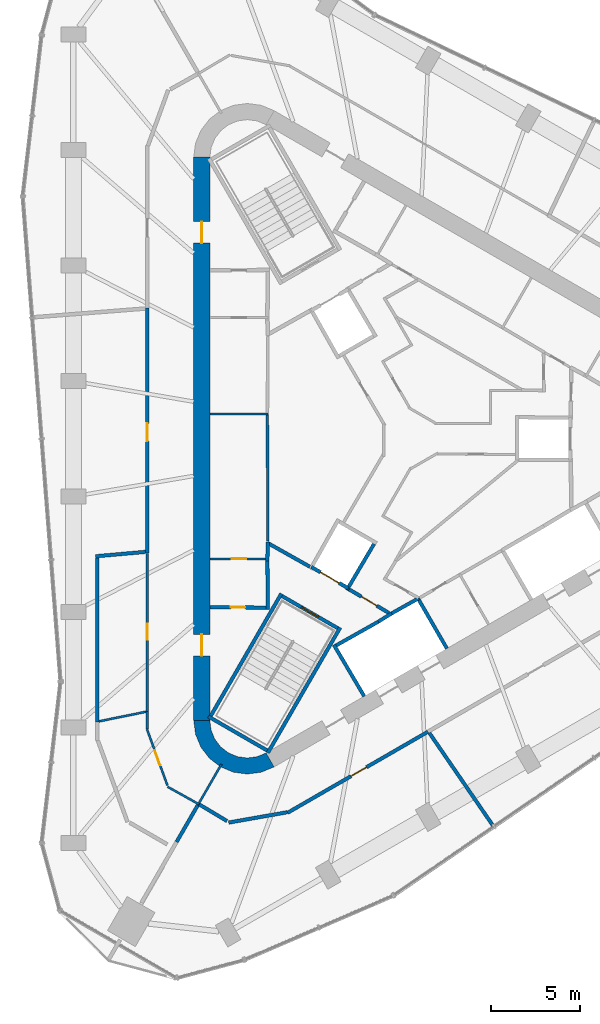
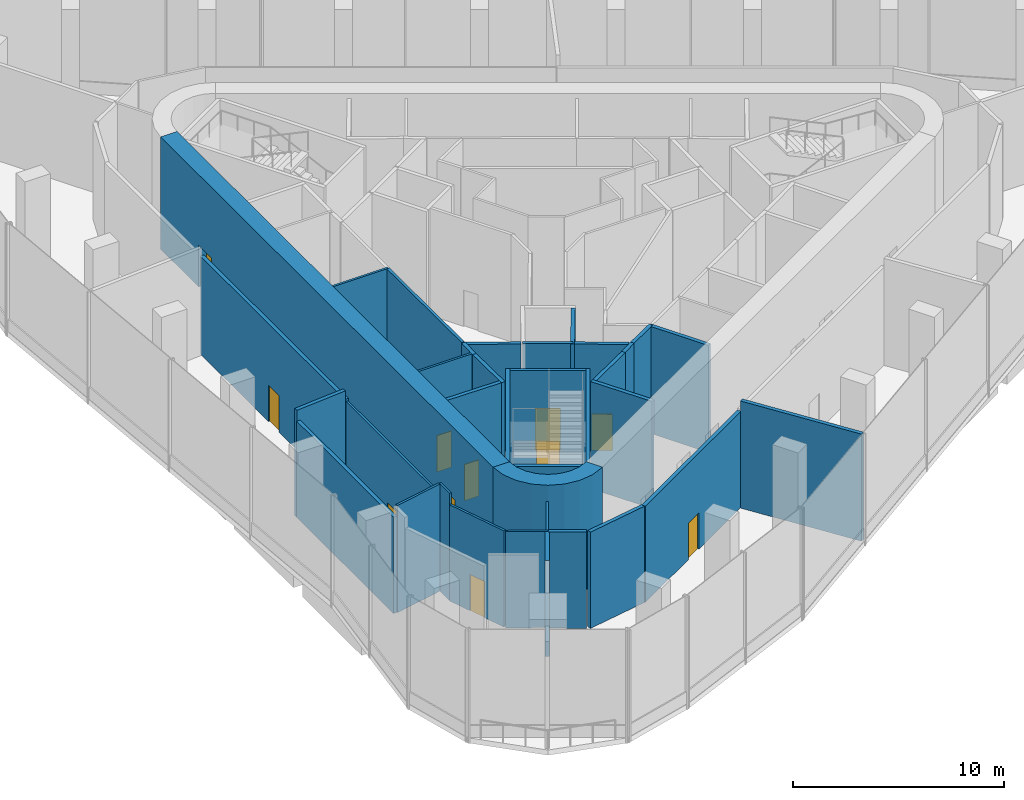
# One storey, part 7 of 13: 35 walls, 11 doors, 11 openings.
"""IFC4 building model written with IfcOpenShell, lengths in metres."""

from ifc_helpers import new_model, si_unit, direction, frame, frame_2d, origin, place, context, subcontext, project, spatial, polyline, rectangle, outline, extrude, material, layer, layer_set, type_object, element, fill, save


model = new_model("IFC4")

# Units and contexts
model_context = context("Model", 3, precision=1e-05, world=origin(), true_north=direction((0.0, 1.0)))
body_context = subcontext(model_context, "Body", "Model", "MODEL_VIEW")
ifc_project = project(units=[si_unit("LENGTHUNIT", "METRE"), si_unit("AREAUNIT", "SQUARE_METRE"), si_unit("VOLUMEUNIT", "CUBIC_METRE"), si_unit("PLANEANGLEUNIT", "RADIAN"), si_unit("MASSUNIT", "GRAM", prefix="KILO")], contexts=[model_context])

# Site, building, storey
site_placement = place(None, origin())
site = spatial("IfcSite", under=ifc_project, at=site_placement, CompositionType="ELEMENT")
building_placement = place(site_placement, origin())
building = spatial("IfcBuilding", under=site, at=building_placement, Name="Tanit Gate Tower", CompositionType="ELEMENT")
storey_placement = place(building_placement, frame((0.0, 0.0, 398.300048828125)))
storey = spatial("IfcBuildingStorey", under=building, at=storey_placement, Name="L91", CompositionType="ELEMENT", Elevation=398.300048828125)

# Wall, openings, doors
ifc_material_1 = material(Name="Concrete C40/50", Category="concrete")
ifc_layer_1 = layer(ifc_material_1, 0.89990234375)
ifc_layer_set_1 = layer_set([ifc_layer_1], Name="CORE WALL 900 C40/50")
wall_type_1 = type_object("IfcWallType", Name="CORE WALL 900 C40/50", PredefinedType="SHEAR", material=ifc_layer_set_1)
wall_1_placement = place(storey_placement, frame((-11.64990234375, 15.76171875, 0.0), z_axis=(0.0, 0.0, 1.0), x_axis=(0.0, -1.0, 0.0)))
wall_1 = element("IfcWall", 1, at=wall_1_placement, inside=storey, type_object=wall_type_1, Name="CORE WALL", PredefinedType="SHEAR", context=body_context, shape_type="SweptSolid", body=[
    extrude(rectangle(XDim=31.5234375, YDim=0.89990234375, at=frame_2d((15.76171875, 0.0))), origin(), (0.0, 0.0, 1.0), 6.5),
])
opening_1_placement = place(wall_1_placement, frame((3.61181640625, 0.0, 0.0)))
opening_1 = element("IfcOpeningElement", 2, at=opening_1_placement, cuts=wall_1, Name="Opening F12-91-FL2", PredefinedType="OPENING", context=body_context, shape_type="SweptSolid", body=[
    extrude(rectangle(XDim=1.199951171875, YDim=2.39990234375, at=frame_2d((0.60009765625, 1.199951171875))), frame((0.0, 0.4599609375, 0.0), z_axis=(0.0, -1.0, 0.0), x_axis=(1.0, 0.0, 0.0)), (0.0, 0.0, 1.0), 0.919921875),
])
opening_2_placement = place(wall_1_placement, frame((26.711669921875, 0.0, 0.0)))
opening_2 = element("IfcOpeningElement", 3, at=opening_2_placement, cuts=wall_1, Name="Opening F12-91-S3", PredefinedType="OPENING", context=body_context, shape_type="SweptSolid", body=[
    extrude(rectangle(XDim=1.199951171875, YDim=2.39990234375, at=frame_2d((0.60009765625, 1.199951171875))), frame((0.0, 0.4599609375, 0.0), z_axis=(0.0, -1.0, 0.0), x_axis=(1.0, 0.0, 0.0)), (0.0, 0.0, 1.0), 0.919921875),
])
ifc_material_2 = material(Name="Fire-rated steel door leaf", Category="steel")
door_type_1 = type_object("IfcDoorType", Name="INT-DOOR-FIRE-LOBBY-1200", OperationType="NOTDEFINED", PredefinedType="USERDEFINED", material=ifc_material_2)
door_1_placement = place(opening_1_placement, origin())
door_1 = element("IfcDoor", 4, at=door_1_placement, inside=storey, type_object=door_type_1, Name="Door F12-91-FL2", ObjectType="FIRE DOOR", OperationType="SINGLE_SWING_LEFT", OverallHeight=2.39990234375, OverallWidth=1.199951171875, PredefinedType="USERDEFINED", context=body_context, shape_type="SweptSolid", body=[
    extrude(rectangle(XDim=1.199951171875, YDim=2.39990234375, at=frame_2d((0.60009765625, 1.199951171875))), frame((0.0, 0.02490234375, 0.0), z_axis=(0.0, -1.0, 0.0), x_axis=(1.0, 0.0, 0.0)), (0.0, 0.0, 1.0), 0.050048828125),
])
fill(opening_1, door_1)
door_2_placement = place(opening_2_placement, origin())
door_2 = element("IfcDoor", 5, at=door_2_placement, inside=storey, type_object=door_type_1, Name="Door F12-91-S3", ObjectType="FIRE DOOR", OperationType="SINGLE_SWING_RIGHT", OverallHeight=2.39990234375, OverallWidth=1.199951171875, PredefinedType="USERDEFINED", context=body_context, shape_type="SweptSolid", body=[
    extrude(rectangle(XDim=1.199951171875, YDim=2.39990234375, at=frame_2d((0.60009765625, 1.199951171875))), frame((0.0, 0.02490234375, 0.0), z_axis=(0.0, -1.0, 0.0), x_axis=(1.0, 0.0, 0.0)), (0.0, 0.0, 1.0), 0.050048828125),
])
fill(opening_2, door_2)

# Walls
wall_2_placement = place(storey_placement, origin())
element("IfcWall", 6, at=wall_2_placement, inside=storey, type_object=wall_type_1, Name="CORE WALL CORNER", PredefinedType="SHEAR", context=body_context, shape_type="SweptSolid", body=[
    extrude(outline(polyline([(-12.10009765625, -15.76171875), (-11.997802734375, -16.5380859375), (-11.697998046875, -17.26171875), (-11.22119140625, -17.883056640625), (-10.60009765625, -18.359619140625), (-9.87646484375, -18.659423828125), (-9.10009765625, -18.76171875), (-8.323486328125, -18.659423828125), (-7.60009765625, -18.359619140625), (-8.050048828125, -17.580322265625), (-8.556396484375, -17.7900390625), (-9.10009765625, -17.86181640625), (-9.6435546875, -17.7900390625), (-10.14990234375, -17.580322265625), (-10.5849609375, -17.24658203125), (-10.918701171875, -16.811767578125), (-11.12841796875, -16.30517578125), (-11.199951171875, -15.76171875), (-12.10009765625, -15.76171875)])), origin(), (0.0, 0.0, 1.0), 6.5),
])
ifc_material_3 = material(Name="Fire-rated gypsum board partition")
ifc_layer_2 = layer(ifc_material_3, 0.199951171875)
ifc_layer_set_2 = layer_set([ifc_layer_2], Name="INT-WALL-COMPARTMENT")
wall_type_2 = type_object("IfcWallType", Name="INT-WALL-COMPARTMENT", PredefinedType="PARTITIONING", material=ifc_layer_set_2)
wall_3_placement = place(storey_placement, frame((-7.983154296875, -6.849853515625, 0.0), z_axis=(0.0, 0.0, 1.0), x_axis=(0.030803413295, 0.999525462272, 0.0)))
element("IfcWall", 7, at=wall_3_placement, inside=storey, type_object=wall_type_2, Name="Wall Compartment W045", PredefinedType="PARTITIONING", context=body_context, shape_type="SweptSolid", body=[
    extrude(rectangle(XDim=1.077880859375, YDim=0.199951171875, at=frame_2d((0.5390625, 0.0))), origin(), (0.0, 0.0, 1.0), 6.199951171875),
])
wall_4_placement = place(storey_placement, frame((-7.948974609375, -9.550048828125, 0.0), z_axis=(0.0, 0.0, 1.0), x_axis=(-0.011121475088, 0.999938154483, 0.0)))
element("IfcWall", 8, at=wall_4_placement, inside=storey, type_object=wall_type_2, Name="Wall Compartment W047", PredefinedType="PARTITIONING", context=body_context, shape_type="SweptSolid", body=[
    extrude(rectangle(XDim=2.7001953125, YDim=0.199951171875, at=frame_2d((1.35009765625, 0.0))), origin(), (0.0, 0.0, 1.0), 6.199951171875),
])

# Wall, opening, door
wall_5_placement = place(storey_placement, frame((-11.199951171875, -9.419921875, 0.0), z_axis=(0.0, 0.0, 1.0), x_axis=(0.999957467379, -0.009222983926, 0.0)))
wall_5 = element("IfcWall", 9, at=wall_5_placement, inside=storey, type_object=wall_type_2, Name="Wall Compartment W048", PredefinedType="PARTITIONING", context=body_context, shape_type="SweptSolid", body=[
    extrude(rectangle(XDim=3.150146484375, YDim=0.199951171875, at=frame_2d((1.5751953125, 0.0))), origin(), (0.0, 0.0, 1.0), 6.199951171875),
])
opening_3_placement = place(wall_5_placement, frame((1.175048828125, 0.0, 0.0)))
opening_3 = element("IfcOpeningElement", 10, at=opening_3_placement, cuts=wall_5, Name="Opening R08-91-18", PredefinedType="OPENING", context=body_context, shape_type="SweptSolid", body=[
    extrude(rectangle(XDim=0.800048828125, YDim=2.10009765625, at=frame_2d((0.39990234375, 1.050048828125))), frame((0.0, 0.10986328125, 0.0), z_axis=(0.0, -1.0, 0.0), x_axis=(1.0, 0.0, 0.0)), (0.0, 0.0, 1.0), 0.219970703125),
])
ifc_material_4 = material(Name="Timber door leaf", Category="wood")
door_type_2 = type_object("IfcDoorType", Name="INT-DOOR-RISER-800", OperationType="NOTDEFINED", PredefinedType="USERDEFINED", material=ifc_material_4)
door_3_placement = place(opening_3_placement, origin())
door_3 = element("IfcDoor", 11, at=door_3_placement, inside=storey, type_object=door_type_2, Name="Door R08-91-18", ObjectType="FIRE DOOR", OperationType="SINGLE_SWING_RIGHT", OverallHeight=2.10009765625, OverallWidth=0.800048828125, PredefinedType="USERDEFINED", context=body_context, shape_type="SweptSolid", body=[
    extrude(rectangle(XDim=0.800048828125, YDim=2.10009765625, at=frame_2d((0.39990234375, 1.050048828125))), frame((0.0, 0.02490234375, 0.0), z_axis=(0.0, -1.0, 0.0), x_axis=(1.0, 0.0, 0.0)), (0.0, 0.0, 1.0), 0.050048828125),
])
fill(opening_3, door_3)

# Wall
wall_6_placement = place(storey_placement, frame((-7.9755859375, -5.822509765625, 0.0), z_axis=(0.0, 0.0, 1.0), x_axis=(0.871329070694, -0.490699144653, 0.0)))
element("IfcWall", 12, at=wall_6_placement, inside=storey, type_object=wall_type_2, Name="Wall Compartment W071", PredefinedType="PARTITIONING", context=body_context, shape_type="SweptSolid", body=[
    extrude(rectangle(XDim=2.72607421875, YDim=0.199951171875, at=frame_2d((1.363037109375, 0.0))), origin(), (0.0, 0.0, 1.0), 6.199951171875),
])

# Wall, opening, door
wall_7_placement = place(storey_placement, frame((-3.400634765625, -8.43017578125, 0.0), z_axis=(0.0, 0.0, 1.0), x_axis=(0.860598681535, -0.509283721849, 0.0)))
wall_7 = element("IfcWall", 13, at=wall_7_placement, inside=storey, type_object=wall_type_2, Name="Wall Compartment W072", PredefinedType="PARTITIONING", context=body_context, shape_type="SweptSolid", body=[
    extrude(rectangle(XDim=2.5810546875, YDim=0.199951171875, at=frame_2d((1.29052734375, 0.0))), origin(), (0.0, 0.0, 1.0), 6.199951171875),
])
opening_4_placement = place(wall_7_placement, frame((0.79052734375, 0.0, 0.0)))
opening_4 = element("IfcOpeningElement", 14, at=opening_4_placement, cuts=wall_7, Name="Opening F10-91-08", PredefinedType="OPENING", context=body_context, shape_type="SweptSolid", body=[
    extrude(rectangle(XDim=1.0, YDim=2.10009765625, at=frame_2d((0.5, 1.050048828125))), frame((0.0, 0.10986328125, 0.0), z_axis=(0.0, -1.0, 0.0), x_axis=(1.0, 0.0, 0.0)), (0.0, 0.0, 1.0), 0.219970703125),
])
ifc_material_5 = material(Name="Fire-rated steel door leaf", Category="steel")
door_type_3 = type_object("IfcDoorType", Name="INT-DOOR-FIRE-1000", OperationType="NOTDEFINED", PredefinedType="USERDEFINED", material=ifc_material_5)
door_4_placement = place(opening_4_placement, origin())
door_4 = element("IfcDoor", 15, at=door_4_placement, inside=storey, type_object=door_type_3, Name="Door F10-91-08", ObjectType="FIRE DOOR", OperationType="SINGLE_SWING_RIGHT", OverallHeight=2.10009765625, OverallWidth=1.0, PredefinedType="USERDEFINED", context=body_context, shape_type="SweptSolid", body=[
    extrude(rectangle(XDim=1.0, YDim=2.10009765625, at=frame_2d((0.5, 1.050048828125))), frame((0.0, 0.02490234375, 0.0), z_axis=(0.0, -1.0, 0.0), x_axis=(1.0, 0.0, 0.0)), (0.0, 0.0, 1.0), 0.050048828125),
])
fill(opening_4, door_4)

wall_8_placement = place(storey_placement, frame((-14.699951171875, 7.32177734375, 0.0), z_axis=(0.0, 0.0, 1.0), x_axis=(0.0, -1.0, 0.0)))
wall_8 = element("IfcWall", 16, at=wall_8_placement, inside=storey, type_object=wall_type_2, Name="Wall Compartment W099", PredefinedType="PARTITIONING", context=body_context, shape_type="SweptSolid", body=[
    extrude(rectangle(XDim=13.700927734375, YDim=0.199951171875, at=frame_2d((6.8505859375, 0.0))), origin(), (0.0, 0.0, 1.0), 5.669921875),
])
opening_5_placement = place(wall_8_placement, frame((6.456298828125, 0.0, 0.0)))
opening_5 = element("IfcOpeningElement", 17, at=opening_5_placement, cuts=wall_8, Name="Opening F10-91-27", PredefinedType="OPENING", context=body_context, shape_type="SweptSolid", body=[
    extrude(rectangle(XDim=1.0, YDim=2.10009765625, at=frame_2d((0.5, 1.050048828125))), frame((0.0, 0.10986328125, 0.0), z_axis=(0.0, -1.0, 0.0), x_axis=(1.0, 0.0, 0.0)), (0.0, 0.0, 1.0), 0.219970703125),
])
door_5_placement = place(opening_5_placement, origin())
door_5 = element("IfcDoor", 18, at=door_5_placement, inside=storey, type_object=door_type_3, Name="Door F10-91-27", ObjectType="FIRE DOOR", OperationType="SINGLE_SWING_RIGHT", OverallHeight=2.10009765625, OverallWidth=1.0, PredefinedType="USERDEFINED", context=body_context, shape_type="SweptSolid", body=[
    extrude(rectangle(XDim=1.0, YDim=2.10009765625, at=frame_2d((0.5, 1.050048828125))), frame((0.0, 0.02490234375, 0.0), z_axis=(0.0, -1.0, 0.0), x_axis=(1.0, 0.0, 0.0)), (0.0, 0.0, 1.0), 0.050048828125),
])
fill(opening_5, door_5)

# Walls
wall_9_placement = place(storey_placement, frame((-14.800048828125, -6.327880859375, 0.0), z_axis=(0.0, 0.0, 1.0), x_axis=(-0.996081685844, -0.088437973332, 0.0)))
element("IfcWall", 19, at=wall_9_placement, inside=storey, type_object=wall_type_2, Name="Wall Compartment W109", PredefinedType="PARTITIONING", context=body_context, shape_type="SweptSolid", body=[
    extrude(rectangle(XDim=2.802001953125, YDim=0.199951171875, at=frame_2d((1.40087890625, 0.0))), origin(), (0.0, 0.0, 1.0), 6.199951171875),
])
wall_10_placement = place(storey_placement, frame((-17.5, -15.8408203125, 0.0), z_axis=(0.0, 0.0, 1.0), x_axis=(0.0, 1.0, 0.0)))
element("IfcWall", 20, at=wall_10_placement, inside=storey, type_object=wall_type_2, Name="Wall Compartment W110", PredefinedType="PARTITIONING", context=body_context, shape_type="SweptSolid", body=[
    extrude(rectangle(XDim=9.1728515625, YDim=0.199951171875, at=frame_2d((4.58642578125, 0.0))), origin(), (0.0, 0.0, 1.0), 5.570068359375),
])
wall_11_placement = place(storey_placement, frame((-11.84912109375, -20.463134765625, 0.0), z_axis=(0.0, 0.0, 1.0), x_axis=(-0.49997539674, -0.866039608017, 0.0)))
element("IfcWall", 21, at=wall_11_placement, inside=storey, type_object=wall_type_2, Name="Wall Compartment W118", PredefinedType="PARTITIONING", context=body_context, shape_type="SweptSolid", body=[
    extrude(rectangle(XDim=2.4228515625, YDim=0.199951171875, at=frame_2d((1.21142578125, 0.0))), origin(), (0.0, 0.0, 1.0), 5.570068359375),
])

# Wall, opening, door
wall_12_placement = place(storey_placement, frame((-6.852294921875, -20.930419921875, 0.0), z_axis=(0.0, 0.0, 1.0), x_axis=(0.866016739626, 0.500015006463, 0.0)))
wall_12 = element("IfcWall", 22, at=wall_12_placement, inside=storey, type_object=wall_type_2, Name="Wall Compartment W129", PredefinedType="PARTITIONING", context=body_context, shape_type="SweptSolid", body=[
    extrude(rectangle(XDim=9.077880859375, YDim=0.199951171875, at=frame_2d((4.5390625, 0.0))), origin(), (0.0, 0.0, 1.0), 5.570068359375),
])
opening_6_placement = place(wall_12_placement, frame((4.10009765625, 0.0, 0.0)))
opening_6 = element("IfcOpeningElement", 23, at=opening_6_placement, cuts=wall_12, Name="Opening F10-91-32", PredefinedType="OPENING", context=body_context, shape_type="SweptSolid", body=[
    extrude(rectangle(XDim=1.0, YDim=2.10009765625, at=frame_2d((0.5, 1.050048828125))), frame((0.0, 0.10986328125, 0.0), z_axis=(0.0, -1.0, 0.0), x_axis=(1.0, 0.0, 0.0)), (0.0, 0.0, 1.0), 0.219970703125),
])
door_6_placement = place(opening_6_placement, origin())
door_6 = element("IfcDoor", 24, at=door_6_placement, inside=storey, type_object=door_type_3, Name="Door F10-91-32", ObjectType="FIRE DOOR", OperationType="SINGLE_SWING_RIGHT", OverallHeight=2.10009765625, OverallWidth=1.0, PredefinedType="USERDEFINED", context=body_context, shape_type="SweptSolid", body=[
    extrude(rectangle(XDim=1.0, YDim=2.10009765625, at=frame_2d((0.5, 1.050048828125))), frame((0.0, 0.02490234375, 0.0), z_axis=(0.0, -1.0, 0.0), x_axis=(1.0, 0.0, 0.0)), (0.0, 0.0, 1.0), 0.050048828125),
])
fill(opening_6, door_6)

# Walls
wall_13_placement = place(storey_placement, frame((-10.14306640625, -21.475830078125, 0.0), z_axis=(0.0, 0.0, 1.0), x_axis=(0.98480864774, 0.173643103339, 0.0)))
element("IfcWall", 25, at=wall_13_placement, inside=storey, type_object=wall_type_2, Name="Wall Compartment W130", PredefinedType="PARTITIONING", context=body_context, shape_type="SweptSolid", body=[
    extrude(rectangle(XDim=3.329345703125, YDim=0.199951171875, at=frame_2d((1.66455078125, 0.0))), origin(), (0.0, 0.0, 1.0), 5.570068359375),
])
wall_14_placement = place(storey_placement, frame((-11.80810546875, -20.4521484375, 0.0), z_axis=(0.0, 0.0, 1.0), x_axis=(0.858362923554, -0.51304297234, 0.0)))
element("IfcWall", 26, at=wall_14_placement, inside=storey, type_object=wall_type_2, Name="Wall Compartment W131", PredefinedType="PARTITIONING", context=body_context, shape_type="SweptSolid", body=[
    extrude(rectangle(XDim=1.82958984375, YDim=0.199951171875, at=frame_2d((0.914794921875, 0.0))), origin(), (0.0, 0.0, 1.0), 5.570068359375),
])
wall_15_placement = place(storey_placement, frame((4.687744140625, -21.708740234375, 0.0), z_axis=(0.0, 0.0, 1.0), x_axis=(-0.565893636681, 0.824478254391, 0.0)))
element("IfcWall", 27, at=wall_15_placement, inside=storey, type_object=wall_type_2, Name="Wall Compartment W136", PredefinedType="PARTITIONING", context=body_context, shape_type="SweptSolid", body=[
    extrude(rectangle(XDim=6.363525390625, YDim=0.199951171875, at=frame_2d((3.181640625, 0.0))), origin(), (0.0, 0.0, 1.0), 6.199951171875),
])
ifc_material_6 = material(Name="Gypsum board partition")
ifc_layer_3 = layer(ifc_material_6, 0.1201171875)
ifc_layer_set_3 = layer_set([ifc_layer_3], Name="INT-WALL-PARTITION")
wall_type_3 = type_object("IfcWallType", Name="INT-WALL-PARTITION", PredefinedType="PARTITIONING", material=ifc_layer_set_3)
wall_16_placement = place(storey_placement, frame((-7.949951171875, 1.3798828125, 0.0), z_axis=(0.0, 0.0, 1.0), x_axis=(-1.0, 0.0, 0.0)))
element("IfcWall", 28, at=wall_16_placement, inside=storey, type_object=wall_type_3, Name="Wall Partition W041", PredefinedType="PARTITIONING", context=body_context, shape_type="SweptSolid", body=[
    extrude(rectangle(XDim=3.25, YDim=0.1201171875, at=frame_2d((1.625, 0.0))), origin(), (0.0, 0.0, 1.0), 6.199951171875),
])

# Wall, opening, door
wall_17_placement = place(storey_placement, frame((-11.199951171875, -6.719970703125, 0.0), z_axis=(0.0, 0.0, 1.0), x_axis=(1.0, 0.0, 0.0)))
wall_17 = element("IfcWall", 29, at=wall_17_placement, inside=storey, type_object=wall_type_3, Name="Wall Partition W044", PredefinedType="PARTITIONING", context=body_context, shape_type="SweptSolid", body=[
    extrude(rectangle(XDim=3.25, YDim=0.1201171875, at=frame_2d((1.625, 0.0))), origin(), (0.0, 0.0, 1.0), 6.199951171875),
])
opening_7_placement = place(wall_17_placement, frame((1.22509765625, 0.0, 0.0)))
opening_7 = element("IfcOpeningElement", 30, at=opening_7_placement, cuts=wall_17, Name="Opening R08-91-17", PredefinedType="OPENING", context=body_context, shape_type="SweptSolid", body=[
    extrude(rectangle(XDim=0.800048828125, YDim=2.10009765625, at=frame_2d((0.39990234375, 1.050048828125))), frame((0.0, 0.070068359375, 0.0), z_axis=(0.0, -1.0, 0.0), x_axis=(1.0, 0.0, 0.0)), (0.0, 0.0, 1.0), 0.14013671875),
])
door_7_placement = place(opening_7_placement, origin())
door_7 = element("IfcDoor", 31, at=door_7_placement, inside=storey, type_object=door_type_2, Name="Door R08-91-17", ObjectType="FIRE DOOR", OperationType="SINGLE_SWING_RIGHT", OverallHeight=2.10009765625, OverallWidth=0.800048828125, PredefinedType="USERDEFINED", context=body_context, shape_type="SweptSolid", body=[
    extrude(rectangle(XDim=0.800048828125, YDim=2.10009765625, at=frame_2d((0.39990234375, 1.050048828125))), frame((0.0, 0.02490234375, 0.0), z_axis=(0.0, -1.0, 0.0), x_axis=(1.0, 0.0, 0.0)), (0.0, 0.0, 1.0), 0.050048828125),
])
fill(opening_7, door_7)

wall_18_placement = place(storey_placement, frame((-14.699951171875, -6.41943359375, 0.0), z_axis=(0.0, 0.0, 1.0), x_axis=(0.0, -1.0, 0.0)))
wall_18 = element("IfcWall", 32, at=wall_18_placement, inside=storey, type_object=wall_type_3, Name="Wall Partition W100", PredefinedType="PARTITIONING", context=body_context, shape_type="SweptSolid", body=[
    extrude(rectangle(XDim=8.83544921875, YDim=0.1201171875, at=frame_2d((4.417724609375, 0.0))), origin(), (0.0, 0.0, 1.0), 5.570068359375),
])
opening_8_placement = place(wall_18_placement, frame((3.931884765625, 0.0, 0.0)))
opening_8 = element("IfcOpeningElement", 33, at=opening_8_placement, cuts=wall_18, Name="Opening D09-91-28", PredefinedType="OPENING", context=body_context, shape_type="SweptSolid", body=[
    extrude(rectangle(XDim=0.89990234375, YDim=2.10009765625, at=frame_2d((0.449951171875, 1.050048828125))), frame((0.0, 0.070068359375, 0.0), z_axis=(0.0, -1.0, 0.0), x_axis=(1.0, 0.0, 0.0)), (0.0, 0.0, 1.0), 0.14013671875),
])
ifc_material_7 = material(Name="Timber door leaf", Category="wood")
door_type_4 = type_object("IfcDoorType", Name="INT-DOOR-SINGLE-900", OperationType="NOTDEFINED", PredefinedType="NOTDEFINED", material=ifc_material_7)
door_8_placement = place(opening_8_placement, origin())
door_8 = element("IfcDoor", 34, at=door_8_placement, inside=storey, type_object=door_type_4, Name="Door D09-91-28", OperationType="SINGLE_SWING_RIGHT", OverallHeight=2.10009765625, OverallWidth=0.89990234375, PredefinedType="NOTDEFINED", context=body_context, shape_type="SweptSolid", body=[
    extrude(rectangle(XDim=0.89990234375, YDim=2.10009765625, at=frame_2d((0.449951171875, 1.050048828125))), frame((0.0, 0.02490234375, 0.0), z_axis=(0.0, -1.0, 0.0), x_axis=(1.0, 0.0, 0.0)), (0.0, 0.0, 1.0), 0.050048828125),
])
fill(opening_8, door_8)

# Walls
wall_19_placement = place(storey_placement, frame((-14.699951171875, -15.2548828125, 0.0), z_axis=(0.0, 0.0, 1.0), x_axis=(0.0, -1.0, 0.0)))
element("IfcWall", 35, at=wall_19_placement, inside=storey, type_object=wall_type_3, Name="Wall Partition W103", PredefinedType="PARTITIONING", context=body_context, shape_type="SweptSolid", body=[
    extrude(rectangle(XDim=0.984619140625, YDim=0.1201171875, at=frame_2d((0.4921875, 0.0))), origin(), (0.0, 0.0, 1.0), 6.199951171875),
])
wall_20_placement = place(storey_placement, frame((-13.559326171875, -19.476318359375, 0.0), z_axis=(0.0, 0.0, 1.0), x_axis=(0.873536168316, -0.486759245052, 0.0)))
element("IfcWall", 36, at=wall_20_placement, inside=storey, type_object=wall_type_3, Name="Wall Partition W101", PredefinedType="PARTITIONING", context=body_context, shape_type="SweptSolid", body=[
    extrude(rectangle(XDim=2.004638671875, YDim=0.1201171875, at=frame_2d((1.00244140625, 0.0))), origin(), (0.0, 0.0, 1.0), 5.570068359375),
])

# Wall, opening, door
wall_21_placement = place(storey_placement, frame((-14.720458984375, -16.2431640625, 0.0), z_axis=(0.0, 0.0, 1.0), x_axis=(0.342046381322, -0.939683070521, 0.0)))
wall_21 = element("IfcWall", 37, at=wall_21_placement, inside=storey, type_object=wall_type_3, Name="Wall Partition W102", PredefinedType="PARTITIONING", context=body_context, shape_type="SweptSolid", body=[
    extrude(rectangle(XDim=3.3603515625, YDim=0.1201171875, at=frame_2d((1.68017578125, 0.0))), origin(), (0.0, 0.0, 1.0), 5.570068359375),
])
opening_9_placement = place(wall_21_placement, frame((1.260009765625, 0.0, 0.0)))
opening_9 = element("IfcOpeningElement", 38, at=opening_9_placement, cuts=wall_21, Name="Opening D09-91-29", PredefinedType="OPENING", context=body_context, shape_type="SweptSolid", body=[
    extrude(rectangle(XDim=0.89990234375, YDim=2.10009765625, at=frame_2d((0.449951171875, 1.050048828125))), frame((0.0, 0.070068359375, 0.0), z_axis=(0.0, -1.0, 0.0), x_axis=(1.0, 0.0, 0.0)), (0.0, 0.0, 1.0), 0.14013671875),
])
door_9_placement = place(opening_9_placement, origin())
door_9 = element("IfcDoor", 39, at=door_9_placement, inside=storey, type_object=door_type_4, Name="Door D09-91-29", OperationType="SINGLE_SWING_LEFT", OverallHeight=2.10009765625, OverallWidth=0.89990234375, PredefinedType="NOTDEFINED", context=body_context, shape_type="SweptSolid", body=[
    extrude(rectangle(XDim=0.89990234375, YDim=2.10009765625, at=frame_2d((0.449951171875, 1.050048828125))), frame((0.0, 0.02490234375, 0.0), z_axis=(0.0, -1.0, 0.0), x_axis=(1.0, 0.0, 0.0)), (0.0, 0.0, 1.0), 0.050048828125),
])
fill(opening_9, door_9)

# Walls
wall_22_placement = place(storey_placement, frame((-10.549072265625, -18.211669921875, 0.0), z_axis=(0.0, 0.0, 1.0), x_axis=(-0.500047596559, -0.865997922154, 0.0)))
element("IfcWall", 40, at=wall_22_placement, inside=storey, type_object=wall_type_3, Name="Wall Partition W105", PredefinedType="PARTITIONING", context=body_context, shape_type="SweptSolid", body=[
    extrude(rectangle(XDim=2.599853515625, YDim=0.1201171875, at=frame_2d((1.2998046875, 0.0))), origin(), (0.0, 0.0, 1.0), 5.570068359375),
])
wall_23_placement = place(storey_placement, frame((-17.39990234375, -15.810546875, 0.0), z_axis=(0.0, 0.0, 1.0), x_axis=(0.979941162084, 0.199287026304, 0.0)))
element("IfcWall", 41, at=wall_23_placement, inside=storey, type_object=wall_type_3, Name="Wall Partition W117", PredefinedType="PARTITIONING", context=body_context, shape_type="SweptSolid", body=[
    extrude(rectangle(XDim=2.69384765625, YDim=0.1201171875, at=frame_2d((1.346923828125, 0.0))), origin(), (0.0, 0.0, 1.0), 6.199951171875),
])
ifc_material_8 = material(Name="Fire-rated gypsum board partition")
ifc_layer_4 = layer(ifc_material_8, 0.14990234375)
ifc_layer_set_4 = layer_set([ifc_layer_4], Name="INT-WALL-RISER")
wall_type_4 = type_object("IfcWallType", Name="INT-WALL-RISER", PredefinedType="PLUMBINGWALL", material=ifc_layer_set_4)
wall_24_placement = place(storey_placement, frame((-7.97998046875, 1.35009765625, 0.0), z_axis=(0.0, 0.0, 1.0), x_axis=(0.004177130679, -0.999991275752, 0.0)))
element("IfcWall", 42, at=wall_24_placement, inside=storey, type_object=wall_type_4, Name="Wall Riser W046", PredefinedType="PLUMBINGWALL", context=body_context, shape_type="SweptSolid", body=[
    extrude(rectangle(XDim=7.072021484375, YDim=0.14990234375, at=frame_2d((3.5361328125, 0.0))), origin(), (0.0, 0.0, 1.0), 6.199951171875),
])
ifc_material_9 = material(Name="Gypsum shaft wall system")
ifc_layer_5 = layer(ifc_material_9, 0.199951171875)
ifc_layer_set_5 = layer_set([ifc_layer_5], Name="INT-WALL-SHAFT")
wall_type_5 = type_object("IfcWallType", Name="INT-WALL-SHAFT", PredefinedType="PLUMBINGWALL", material=ifc_layer_set_5)
wall_25_placement = place(storey_placement, frame((-2.557861328125, -14.409423828125, 0.0), z_axis=(0.0, 0.0, 1.0), x_axis=(-0.507997497166, 0.861358544901, 0.0)))
element("IfcWall", 43, at=wall_25_placement, inside=storey, type_object=wall_type_5, Name="Wall Shaft W001", PredefinedType="PLUMBINGWALL", context=body_context, shape_type="SweptSolid", body=[
    extrude(rectangle(XDim=3.350341796875, YDim=0.199951171875, at=frame_2d((1.67529296875, 0.0))), origin(), (0.0, 0.0, 1.0), 6.199951171875),
])
wall_26_placement = place(storey_placement, frame((-1.7685546875, -10.23681640625, 0.0), z_axis=(0.0, 0.0, 1.0), x_axis=(-0.871534483978, -0.490334215854, 0.0)))
element("IfcWall", 44, at=wall_26_placement, inside=storey, type_object=wall_type_5, Name="Wall Shaft W002", PredefinedType="PLUMBINGWALL", context=body_context, shape_type="SweptSolid", body=[
    extrude(rectangle(XDim=2.7001953125, YDim=0.199951171875, at=frame_2d((1.35009765625, 0.0))), origin(), (0.0, 0.0, 1.0), 6.199951171875),
])
wall_27_placement = place(storey_placement, frame((0.441650390625, -8.9248046875, 0.0), z_axis=(0.0, 0.0, 1.0), x_axis=(0.499984717929, -0.866034226713, 0.0)))
element("IfcWall", 45, at=wall_27_placement, inside=storey, type_object=wall_type_5, Name="Wall Shaft W003", PredefinedType="PLUMBINGWALL", context=body_context, shape_type="SweptSolid", body=[
    extrude(rectangle(XDim=3.25, YDim=0.199951171875, at=frame_2d((1.625, 0.0))), origin(), (0.0, 0.0, 1.0), 6.199951171875),
])
wall_28_placement = place(storey_placement, frame((-1.02392578125, -9.77099609375, 0.0), z_axis=(0.0, 0.0, 1.0), x_axis=(-0.850348075135, -0.526220629693, 0.0)))
element("IfcWall", 46, at=wall_28_placement, inside=storey, type_object=wall_type_5, Name="Wall Shaft W004", PredefinedType="PLUMBINGWALL", context=body_context, shape_type="SweptSolid", body=[
    extrude(rectangle(XDim=0.878173828125, YDim=0.199951171875, at=frame_2d((0.43896484375, 0.0))), origin(), (0.0, 0.0, 1.0), 6.199951171875),
])
wall_29_placement = place(storey_placement, frame((-1.13037109375, -9.83154296875, 0.0), z_axis=(0.0, 0.0, 1.0), x_axis=(0.871988740738, 0.489525929882, 0.0)))
element("IfcWall", 47, at=wall_29_placement, inside=storey, type_object=wall_type_5, Name="Wall Shaft W005", PredefinedType="PLUMBINGWALL", context=body_context, shape_type="SweptSolid", body=[
    extrude(rectangle(XDim=1.8447265625, YDim=0.199951171875, at=frame_2d((0.92236328125, 0.0))), origin(), (0.0, 0.0, 1.0), 6.199951171875),
])

# Wall, opening, door
wall_30_placement = place(storey_placement, frame((-3.44580078125, -8.3681640625, 0.0), z_axis=(0.0, 0.0, 1.0), x_axis=(-0.866024647952, 0.500001309137, 0.0)))
wall_30 = element("IfcWall", 48, at=wall_30_placement, inside=storey, type_object=wall_type_5, Name="Wall Shaft W033", PredefinedType="PLUMBINGWALL", context=body_context, shape_type="SweptSolid", body=[
    extrude(rectangle(XDim=2.39990234375, YDim=0.199951171875, at=frame_2d((1.199951171875, 0.0))), origin(), (0.0, 0.0, 1.0), 6.199951171875),
])
opening_10_placement = place(wall_30_placement, frame((0.60009765625, 0.0, 0.0)))
opening_10 = element("IfcOpeningElement", 49, at=opening_10_placement, cuts=wall_30, Name="Opening LDFL3-L91", PredefinedType="OPENING", context=body_context, shape_type="SweptSolid", body=[
    extrude(rectangle(XDim=1.199951171875, YDim=2.39990234375, at=frame_2d((0.60009765625, 1.199951171875))), frame((0.0, 0.10986328125, 0.0), z_axis=(0.0, -1.0, 0.0), x_axis=(1.0, 0.0, 0.0)), (0.0, 0.0, 1.0), 0.219970703125),
])
ifc_material_10 = material(Name="Stainless steel sliding door leaf", Category="steel")
door_type_5 = type_object("IfcDoorType", Name="INT-DOOR-LANDING-1200", OperationType="NOTDEFINED", PredefinedType="USERDEFINED", material=ifc_material_10)
door_10_placement = place(opening_10_placement, origin())
door_10 = element("IfcDoor", 50, at=door_10_placement, inside=storey, type_object=door_type_5, Name="Door LDFL3-L91", ObjectType="LANDING DOOR", OperationType="SLIDING_TO_LEFT", OverallHeight=2.39990234375, OverallWidth=1.199951171875, PredefinedType="USERDEFINED", context=body_context, shape_type="SweptSolid", body=[
    extrude(rectangle(XDim=1.199951171875, YDim=2.39990234375, at=frame_2d((0.60009765625, 1.199951171875))), frame((0.0, 0.02490234375, 0.0), z_axis=(0.0, -1.0, 0.0), x_axis=(1.0, 0.0, 0.0)), (0.0, 0.0, 1.0), 0.050048828125),
])
fill(opening_10, door_10)

# Walls
wall_31_placement = place(storey_placement, frame((-2.01171875, -5.88232421875, 0.0), z_axis=(0.0, 0.0, 1.0), x_axis=(-0.508619639323, -0.860991325447, 0.0)))
element("IfcWall", 51, at=wall_31_placement, inside=storey, type_object=wall_type_5, Name="Wall Shaft W037", PredefinedType="PLUMBINGWALL", context=body_context, shape_type="SweptSolid", body=[
    extrude(rectangle(XDim=3.0, YDim=0.199951171875, at=frame_2d((1.5, 0.0))), origin(), (0.0, 0.0, 1.0), 6.199951171875),
])
ifc_material_11 = material(Name="Concrete C40/50", Category="concrete")
ifc_layer_6 = layer(ifc_material_11, 0.199951171875)
ifc_layer_set_6 = layer_set([ifc_layer_6], Name="INT-WALL-STAIR")
wall_type_6 = type_object("IfcWallType", Name="INT-WALL-STAIR", PredefinedType="SHEAR", material=ifc_layer_set_6)
wall_32_placement = place(storey_placement, frame((-3.904541015625, -10.56298828125, -0.300048828125), z_axis=(0.0, 0.0, 1.0), x_axis=(-0.500012932018, -0.866017937352, 0.0)))
element("IfcWall", 52, at=wall_32_placement, inside=storey, type_object=wall_type_6, Name="Wall Stair W029", PredefinedType="SHEAR", context=body_context, shape_type="SweptSolid", body=[
    extrude(rectangle(XDim=8.099853515625, YDim=0.199951171875, at=frame_2d((4.0498046875, 0.0))), origin(), (0.0, 0.0, 1.0), 6.5),
])
wall_33_placement = place(storey_placement, frame((-11.281982421875, -15.541015625, -0.300048828125), z_axis=(0.0, 0.0, 1.0), x_axis=(0.866000483506, -0.500043160704, 0.0)))
element("IfcWall", 53, at=wall_33_placement, inside=storey, type_object=wall_type_6, Name="Wall Stair W030", PredefinedType="SHEAR", context=body_context, shape_type="SweptSolid", body=[
    extrude(rectangle(XDim=3.800048828125, YDim=0.199951171875, at=frame_2d((1.89990234375, 0.0))), origin(), (0.0, 0.0, 1.0), 6.5),
])
wall_34_placement = place(storey_placement, frame((-7.195556640625, -8.662841796875, -0.300048828125), z_axis=(0.0, 0.0, 1.0), x_axis=(-0.499997992926, -0.866026562566, 0.0)))
element("IfcWall", 54, at=wall_34_placement, inside=storey, type_object=wall_type_6, Name="Wall Stair W031", PredefinedType="SHEAR", context=body_context, shape_type="SweptSolid", body=[
    extrude(rectangle(XDim=7.89990234375, YDim=0.199951171875, at=frame_2d((3.949951171875, 0.0))), origin(), (0.0, 0.0, 1.0), 6.5),
])

# Wall, opening, door
wall_35_placement = place(storey_placement, frame((-4.041259765625, -10.599365234375, -0.300048828125), z_axis=(0.0, 0.0, 1.0), x_axis=(-0.866047807691, 0.499961193289, 0.0)))
wall_35 = element("IfcWall", 55, at=wall_35_placement, inside=storey, type_object=wall_type_6, Name="Wall Stair W032", PredefinedType="SHEAR", context=body_context, shape_type="SweptSolid", body=[
    extrude(rectangle(XDim=3.599853515625, YDim=0.199951171875, at=frame_2d((1.7998046875, 0.0))), origin(), (0.0, 0.0, 1.0), 6.5),
])
opening_11_placement = place(wall_35_placement, frame((1.25, 0.0, 0.300048828125)))
opening_11 = element("IfcOpeningElement", 56, at=opening_11_placement, cuts=wall_35, Name="Opening S11-91-07", PredefinedType="OPENING", context=body_context, shape_type="SweptSolid", body=[
    extrude(rectangle(XDim=1.10009765625, YDim=2.10009765625, at=frame_2d((0.550048828125, 1.050048828125))), frame((0.0, 0.10986328125, 0.0), z_axis=(0.0, -1.0, 0.0), x_axis=(1.0, 0.0, 0.0)), (0.0, 0.0, 1.0), 0.219970703125),
])
ifc_material_12 = material(Name="Timber door leaf", Category="wood")
door_type_6 = type_object("IfcDoorType", Name="INT-DOOR-STAIR-1100", OperationType="NOTDEFINED", PredefinedType="USERDEFINED", material=ifc_material_12)
door_11_placement = place(opening_11_placement, origin())
door_11 = element("IfcDoor", 57, at=door_11_placement, inside=storey, type_object=door_type_6, Name="Door S11-91-07", ObjectType="FIRE DOOR", OperationType="SINGLE_SWING_LEFT", OverallHeight=2.10009765625, OverallWidth=1.10009765625, PredefinedType="USERDEFINED", context=body_context, shape_type="SweptSolid", body=[
    extrude(rectangle(XDim=1.10009765625, YDim=2.10009765625, at=frame_2d((0.550048828125, 1.050048828125))), frame((0.0, 0.02490234375, 0.0), z_axis=(0.0, -1.0, 0.0), x_axis=(1.0, 0.0, 0.0)), (0.0, 0.0, 1.0), 0.050048828125),
])
fill(opening_11, door_11)

save(model, "model.ifc")
